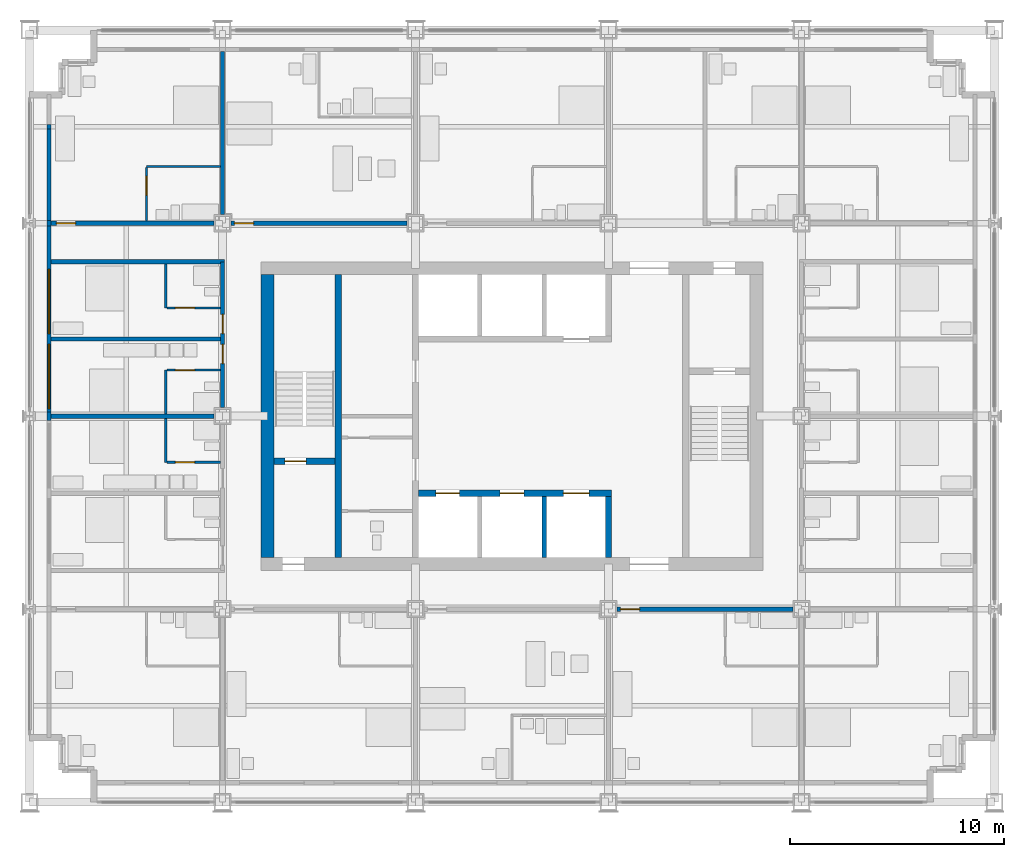
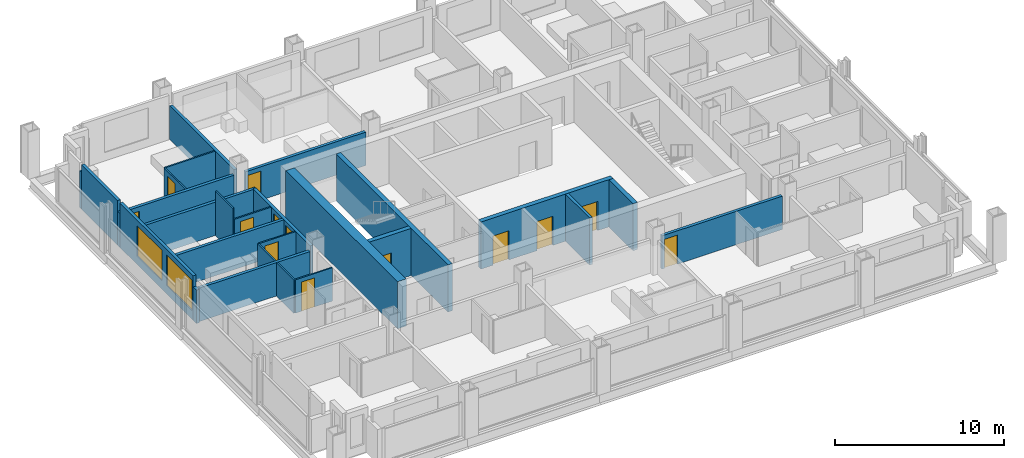
# One storey, part 10 of 16: 27 walls, 13 doors, 2 windows, 15 openings.
"""IFC4 building model written with IfcOpenShell, lengths in metres."""

from ifc_helpers import new_model, si_unit, direction, frame, frame_2d, origin, place, context, subcontext, project, spatial, rectangle, extrude, material, layer, layer_set, type_object, element, fill, save


model = new_model("IFC4")

# Units and contexts
model_context = context("Model", 3, precision=1e-05, world=origin(), true_north=direction((0.0, 1.0)))
body_context = subcontext(model_context, "Body", "Model", "MODEL_VIEW")
ifc_project = project(units=[si_unit("LENGTHUNIT", "METRE"), si_unit("AREAUNIT", "SQUARE_METRE"), si_unit("VOLUMEUNIT", "CUBIC_METRE"), si_unit("PLANEANGLEUNIT", "RADIAN"), si_unit("MASSUNIT", "GRAM", prefix="KILO")], contexts=[model_context])

# Site, building, storey
site_placement = place(None, origin())
site = spatial("IfcSite", under=ifc_project, at=site_placement, CompositionType="ELEMENT")
building_placement = place(site_placement, origin())
building = spatial("IfcBuilding", under=site, at=building_placement, Name="Loomwork Tower", CompositionType="ELEMENT")
storey_placement = place(building_placement, frame((0.0, 0.0, 111.199951171875)))
storey = spatial("IfcBuildingStorey", under=building, at=storey_placement, Name="L29", CompositionType="ELEMENT", Elevation=111.199951171875)

# Wall
ifc_material_1 = material(Name="Concrete 14000 psi (97 MPa)", Category="concrete")
ifc_layer_1 = layer(ifc_material_1, 0.300048828125)
ifc_layer_set_1 = layer_set([ifc_layer_1], Name="Core shear wall 300")
wall_type_1 = type_object("IfcWallType", Name="Core shear wall 300", PredefinedType="SHEAR", material=ifc_layer_set_1)
wall_1_placement = place(storey_placement, frame((14.39990234375, 11.39990234375, 0.0), z_axis=(0.0, 0.0, 1.0), x_axis=(0.0, 1.0, 0.0)))
element("IfcWall", 1, at=wall_1_placement, inside=storey, type_object=wall_type_1, Name="Stair A east wall L29", PredefinedType="SHEAR", context=body_context, shape_type="SweptSolid", body=[
    extrude(rectangle(XDim=13.2001953125, YDim=0.300048828125, at=frame_2d((6.60009765625, 0.0))), origin(), (0.0, 0.0, 1.0), 3.400146484375),
])

# Wall, opening, door
wall_2_placement = place(storey_placement, frame((11.39990234375, 15.89990234375, 0.0), z_axis=(0.0, 0.0, 1.0), x_axis=(1.0, 0.0, 0.0)))
wall_2 = element("IfcWall", 2, at=wall_2_placement, inside=storey, type_object=wall_type_1, Name="Stair A south wall L29", PredefinedType="SHEAR", context=body_context, shape_type="SweptSolid", body=[
    extrude(rectangle(XDim=2.85009765625, YDim=0.300048828125, at=frame_2d((1.425048828125, 0.0))), origin(), (0.0, 0.0, 1.0), 3.400146484375),
])
opening_1_placement = place(wall_2_placement, frame((0.5, 0.0, 0.0)))
opening_1 = element("IfcOpeningElement", 3, at=opening_1_placement, cuts=wall_2, Name="Opening D4", PredefinedType="OPENING", context=body_context, shape_type="SweptSolid", body=[
    extrude(rectangle(XDim=1.0, YDim=2.10009765625, at=frame_2d((0.5, 1.050048828125))), frame((0.0, 0.159912109375, 0.0), z_axis=(0.0, -1.0, 0.0), x_axis=(1.0, 0.0, 0.0)), (0.0, 0.0, 1.0), 0.320068359375),
])
ifc_material_2 = material(Name="Hollow metal door and frame")
door_type_1 = type_object("IfcDoorType", Name="Stair door 1000", OperationType="SINGLE_SWING_RIGHT", PredefinedType="DOOR", material=ifc_material_2)
door_1_placement = place(opening_1_placement, origin())
door_1 = element("IfcDoor", 4, at=door_1_placement, inside=storey, type_object=door_type_1, Name="Stair A door", OperationType="SINGLE_SWING_LEFT", OverallHeight=2.10009765625, OverallWidth=1.0, PredefinedType="DOOR", context=body_context, shape_type="SweptSolid", body=[
    extrude(rectangle(XDim=1.0, YDim=2.10009765625, at=frame_2d((0.5, 1.050048828125))), frame((0.0, 0.02490234375, 0.0), z_axis=(0.0, -1.0, 0.0), x_axis=(1.0, 0.0, 0.0)), (0.0, 0.0, 1.0), 0.050048828125),
])
fill(opening_1, door_1)

# Wall, openings, doors
wall_3_placement = place(storey_placement, frame((18.14990234375, 14.39990234375, 0.0), z_axis=(0.0, 0.0, 1.0), x_axis=(1.0, 0.0, 0.0)))
wall_3 = element("IfcWall", 5, at=wall_3_placement, inside=storey, type_object=wall_type_1, Name="Lift front wall south L29", PredefinedType="SHEAR", context=body_context, shape_type="SweptSolid", body=[
    extrude(rectangle(XDim=9.0, YDim=0.300048828125, at=frame_2d((4.5, 0.0))), origin(), (0.0, 0.0, 1.0), 3.400146484375),
])
opening_2_placement = place(wall_3_placement, frame((0.800048828125, 0.0, 0.0)))
opening_2 = element("IfcOpeningElement", 6, at=opening_2_placement, cuts=wall_3, Name="Opening LD1", PredefinedType="OPENING", context=body_context, shape_type="SweptSolid", body=[
    extrude(rectangle(XDim=1.10009765625, YDim=2.10009765625, at=frame_2d((0.550048828125, 1.050048828125))), frame((0.0, 0.159912109375, 0.0), z_axis=(0.0, -1.0, 0.0), x_axis=(1.0, 0.0, 0.0)), (0.0, 0.0, 1.0), 0.320068359375),
])
opening_3_placement = place(wall_3_placement, frame((3.800048828125, 0.0, 0.0)))
opening_3 = element("IfcOpeningElement", 7, at=opening_3_placement, cuts=wall_3, Name="Opening LD1", PredefinedType="OPENING", context=body_context, shape_type="SweptSolid", body=[
    extrude(rectangle(XDim=1.10009765625, YDim=2.10009765625, at=frame_2d((0.550048828125, 1.050048828125))), frame((0.0, 0.159912109375, 0.0), z_axis=(0.0, -1.0, 0.0), x_axis=(1.0, 0.0, 0.0)), (0.0, 0.0, 1.0), 0.320068359375),
])
opening_4_placement = place(wall_3_placement, frame((6.75, 0.0, 0.0)))
opening_4 = element("IfcOpeningElement", 8, at=opening_4_placement, cuts=wall_3, Name="Opening LD2", PredefinedType="OPENING", context=body_context, shape_type="SweptSolid", body=[
    extrude(rectangle(XDim=1.199951171875, YDim=2.10009765625, at=frame_2d((0.60009765625, 1.050048828125))), frame((0.0, 0.159912109375, 0.0), z_axis=(0.0, -1.0, 0.0), x_axis=(1.0, 0.0, 0.0)), (0.0, 0.0, 1.0), 0.320068359375),
])
ifc_material_3 = material(Name="Hollow metal door and frame")
door_type_2 = type_object("IfcDoorType", Name="Lift landing door 1100", OperationType="SLIDING_TO_LEFT", PredefinedType="DOOR", material=ifc_material_3)
door_2_placement = place(opening_2_placement, origin())
door_2 = element("IfcDoor", 9, at=door_2_placement, inside=storey, type_object=door_type_2, Name="Lift landing door LB1", OperationType="SLIDING_TO_LEFT", OverallHeight=2.10009765625, OverallWidth=1.10009765625, PredefinedType="DOOR", context=body_context, shape_type="SweptSolid", body=[
    extrude(rectangle(XDim=1.10009765625, YDim=2.10009765625, at=frame_2d((0.550048828125, 1.050048828125))), frame((0.0, 0.02490234375, 0.0), z_axis=(0.0, -1.0, 0.0), x_axis=(1.0, 0.0, 0.0)), (0.0, 0.0, 1.0), 0.050048828125),
])
fill(opening_2, door_2)
door_3_placement = place(opening_3_placement, origin())
door_3 = element("IfcDoor", 10, at=door_3_placement, inside=storey, type_object=door_type_2, Name="Lift landing door LB2", OperationType="SLIDING_TO_LEFT", OverallHeight=2.10009765625, OverallWidth=1.10009765625, PredefinedType="DOOR", context=body_context, shape_type="SweptSolid", body=[
    extrude(rectangle(XDim=1.10009765625, YDim=2.10009765625, at=frame_2d((0.550048828125, 1.050048828125))), frame((0.0, 0.02490234375, 0.0), z_axis=(0.0, -1.0, 0.0), x_axis=(1.0, 0.0, 0.0)), (0.0, 0.0, 1.0), 0.050048828125),
])
fill(opening_3, door_3)
ifc_material_4 = material(Name="Hollow metal door and frame")
door_type_3 = type_object("IfcDoorType", Name="Lift landing door 1200", OperationType="SLIDING_TO_LEFT", PredefinedType="DOOR", material=ifc_material_4)
door_4_placement = place(opening_4_placement, origin())
door_4 = element("IfcDoor", 11, at=door_4_placement, inside=storey, type_object=door_type_3, Name="Lift landing door LF1", OperationType="SLIDING_TO_LEFT", OverallHeight=2.10009765625, OverallWidth=1.199951171875, PredefinedType="DOOR", context=body_context, shape_type="SweptSolid", body=[
    extrude(rectangle(XDim=1.199951171875, YDim=2.10009765625, at=frame_2d((0.60009765625, 1.050048828125))), frame((0.0, 0.02490234375, 0.0), z_axis=(0.0, -1.0, 0.0), x_axis=(1.0, 0.0, 0.0)), (0.0, 0.0, 1.0), 0.050048828125),
])
fill(opening_4, door_4)

# Walls
wall_4_placement = place(storey_placement, frame((27.0, 11.39990234375, 0.0), z_axis=(0.0, 0.0, 1.0), x_axis=(0.0, 1.0, 0.0)))
element("IfcWall", 12, at=wall_4_placement, inside=storey, type_object=wall_type_1, Name="Lift shaft end wall south L29", PredefinedType="SHEAR", context=body_context, shape_type="SweptSolid", body=[
    extrude(rectangle(XDim=2.85009765625, YDim=0.300048828125, at=frame_2d((1.425048828125, 0.0))), origin(), (0.0, 0.0, 1.0), 3.400146484375),
])
ifc_material_5 = material(Name="Concrete 14000 psi (97 MPa)", Category="concrete")
ifc_layer_2 = layer(ifc_material_5, 0.60009765625)
ifc_layer_set_2 = layer_set([ifc_layer_2], Name="Core shear wall 600")
wall_type_2 = type_object("IfcWallType", Name="Core shear wall 600", PredefinedType="SHEAR", material=ifc_layer_set_2)
wall_5_placement = place(storey_placement, frame((11.10009765625, 11.39990234375, 0.0), z_axis=(0.0, 0.0, 1.0), x_axis=(0.0, 1.0, 0.0)))
element("IfcWall", 13, at=wall_5_placement, inside=storey, type_object=wall_type_2, Name="Core wall west L29", PredefinedType="SHEAR", context=body_context, shape_type="SweptSolid", body=[
    extrude(rectangle(XDim=13.2001953125, YDim=0.60009765625, at=frame_2d((6.60009765625, 0.0))), origin(), (0.0, 0.0, 1.0), 3.400146484375),
])

# Wall, opening, door
ifc_material_6 = material(Name="Gypsum board on steel studs, one-hour", Category="steel")
ifc_layer_3 = layer(ifc_material_6, 0.199951171875)
ifc_layer_set_3 = layer_set([ifc_layer_3], Name="Corridor wall 200")
wall_type_3 = type_object("IfcWallType", Name="Corridor wall 200", PredefinedType="PARTITIONING", material=ifc_layer_set_3)
wall_6_placement = place(storey_placement, frame((27.39990234375, 9.0, 0.0), z_axis=(0.0, 0.0, 1.0), x_axis=(1.0, 0.0, 0.0)))
wall_6 = element("IfcWall", 14, at=wall_6_placement, inside=storey, type_object=wall_type_3, Name="South corridor wall 4", PredefinedType="PARTITIONING", context=body_context, shape_type="SweptSolid", body=[
    extrude(rectangle(XDim=8.2001953125, YDim=0.199951171875, at=frame_2d((4.10009765625, 0.0))), origin(), (0.0, 0.0, 1.0), 2.405029296875),
])
opening_5_placement = place(wall_6_placement, frame((0.14990234375, 0.0, 0.0)))
opening_5 = element("IfcOpeningElement", 15, at=opening_5_placement, cuts=wall_6, Name="Opening D1", PredefinedType="OPENING", context=body_context, shape_type="SweptSolid", body=[
    extrude(rectangle(XDim=0.89990234375, YDim=2.10009765625, at=frame_2d((0.449951171875, 1.050048828125))), frame((0.0, 0.10986328125, 0.0), z_axis=(0.0, -1.0, 0.0), x_axis=(1.0, 0.0, 0.0)), (0.0, 0.0, 1.0), 0.219970703125),
])
ifc_material_7 = material(Name="Hollow metal door and frame")
door_type_4 = type_object("IfcDoorType", Name="Guest room entry door 900", OperationType="SINGLE_SWING_LEFT", PredefinedType="DOOR", material=ifc_material_7)
door_5_placement = place(opening_5_placement, frame((0.89990234375, 0.0, 0.0), z_axis=(0.0, 0.0, 1.0), x_axis=(-1.0, 0.0, 0.0)))
door_5 = element("IfcDoor", 16, at=door_5_placement, inside=storey, type_object=door_type_4, Name="Guest room entry door L29 4", OperationType="SINGLE_SWING_RIGHT", OverallHeight=2.10009765625, OverallWidth=0.89990234375, PredefinedType="DOOR", context=body_context, shape_type="SweptSolid", body=[
    extrude(rectangle(XDim=0.89990234375, YDim=2.10009765625, at=frame_2d((0.449951171875, 1.050048828125))), frame((0.0, 0.02490234375, 0.0), z_axis=(0.0, -1.0, 0.0), x_axis=(1.0, 0.0, 0.0)), (0.0, 0.0, 1.0), 0.050048828125),
])
fill(opening_5, door_5)

wall_7_placement = place(storey_placement, frame((1.0, 27.0, 0.0), z_axis=(0.0, 0.0, 1.0), x_axis=(1.0, 0.0, 0.0)))
wall_7 = element("IfcWall", 17, at=wall_7_placement, inside=storey, type_object=wall_type_3, Name="North corridor wall 1", PredefinedType="PARTITIONING", context=body_context, shape_type="SweptSolid", body=[
    extrude(rectangle(XDim=7.60009765625, YDim=0.199951171875, at=frame_2d((3.800048828125, 0.0))), origin(), (0.0, 0.0, 1.0), 2.43798828125),
])
opening_6_placement = place(wall_7_placement, frame((0.25, 0.0, 0.0)))
opening_6 = element("IfcOpeningElement", 18, at=opening_6_placement, cuts=wall_7, Name="Opening D1", PredefinedType="OPENING", context=body_context, shape_type="SweptSolid", body=[
    extrude(rectangle(XDim=0.89990234375, YDim=2.10009765625, at=frame_2d((0.449951171875, 1.050048828125))), frame((0.0, 0.10986328125, 0.0), z_axis=(0.0, -1.0, 0.0), x_axis=(1.0, 0.0, 0.0)), (0.0, 0.0, 1.0), 0.219970703125),
])
door_6_placement = place(opening_6_placement, origin())
door_6 = element("IfcDoor", 19, at=door_6_placement, inside=storey, type_object=door_type_4, Name="Guest room entry door L29 6", OperationType="SINGLE_SWING_LEFT", OverallHeight=2.10009765625, OverallWidth=0.89990234375, PredefinedType="DOOR", context=body_context, shape_type="SweptSolid", body=[
    extrude(rectangle(XDim=0.89990234375, YDim=2.10009765625, at=frame_2d((0.449951171875, 1.050048828125))), frame((0.0, 0.02490234375, 0.0), z_axis=(0.0, -1.0, 0.0), x_axis=(1.0, 0.0, 0.0)), (0.0, 0.0, 1.0), 0.050048828125),
])
fill(opening_6, door_6)

wall_8_placement = place(storey_placement, frame((9.39990234375, 27.0, 0.0), z_axis=(0.0, 0.0, 1.0), x_axis=(1.0, 0.0, 0.0)))
wall_8 = element("IfcWall", 20, at=wall_8_placement, inside=storey, type_object=wall_type_3, Name="North corridor wall 2", PredefinedType="PARTITIONING", context=body_context, shape_type="SweptSolid", body=[
    extrude(rectangle(XDim=8.2001953125, YDim=0.199951171875, at=frame_2d((4.10009765625, 0.0))), origin(), (0.0, 0.0, 1.0), 2.405029296875),
])
opening_7_placement = place(wall_8_placement, frame((0.14990234375, 0.0, 0.0)))
opening_7 = element("IfcOpeningElement", 21, at=opening_7_placement, cuts=wall_8, Name="Opening D1", PredefinedType="OPENING", context=body_context, shape_type="SweptSolid", body=[
    extrude(rectangle(XDim=0.89990234375, YDim=2.10009765625, at=frame_2d((0.449951171875, 1.050048828125))), frame((0.0, 0.10986328125, 0.0), z_axis=(0.0, -1.0, 0.0), x_axis=(1.0, 0.0, 0.0)), (0.0, 0.0, 1.0), 0.219970703125),
])
door_7_placement = place(opening_7_placement, origin())
door_7 = element("IfcDoor", 22, at=door_7_placement, inside=storey, type_object=door_type_4, Name="Guest room entry door L29 7", OperationType="SINGLE_SWING_LEFT", OverallHeight=2.10009765625, OverallWidth=0.89990234375, PredefinedType="DOOR", context=body_context, shape_type="SweptSolid", body=[
    extrude(rectangle(XDim=0.89990234375, YDim=2.10009765625, at=frame_2d((0.449951171875, 1.050048828125))), frame((0.0, 0.02490234375, 0.0), z_axis=(0.0, -1.0, 0.0), x_axis=(1.0, 0.0, 0.0)), (0.0, 0.0, 1.0), 0.050048828125),
])
fill(opening_7, door_7)

# Wall, openings, doors
wall_9_placement = place(storey_placement, frame((9.0, 18.39990234375, 0.0), z_axis=(0.0, 0.0, 1.0), x_axis=(0.0, 1.0, 0.0)))
wall_9 = element("IfcWall", 23, at=wall_9_placement, inside=storey, type_object=wall_type_3, Name="West corridor wall 2", PredefinedType="PARTITIONING", context=body_context, shape_type="SweptSolid", body=[
    extrude(rectangle(XDim=6.800048828125, YDim=0.199951171875, at=frame_2d((3.39990234375, 0.0))), origin(), (0.0, 0.0, 1.0), 2.405029296875),
])
opening_8_placement = place(wall_9_placement, frame((2.050048828125, 0.0, 0.0)))
opening_8 = element("IfcOpeningElement", 24, at=opening_8_placement, cuts=wall_9, Name="Opening D1", PredefinedType="OPENING", context=body_context, shape_type="SweptSolid", body=[
    extrude(rectangle(XDim=0.89990234375, YDim=2.10009765625, at=frame_2d((0.449951171875, 1.050048828125))), frame((0.0, 0.10986328125, 0.0), z_axis=(0.0, -1.0, 0.0), x_axis=(1.0, 0.0, 0.0)), (0.0, 0.0, 1.0), 0.219970703125),
])
opening_9_placement = place(wall_9_placement, frame((3.449951171875, 0.0, 0.0)))
opening_9 = element("IfcOpeningElement", 25, at=opening_9_placement, cuts=wall_9, Name="Opening D1", PredefinedType="OPENING", context=body_context, shape_type="SweptSolid", body=[
    extrude(rectangle(XDim=0.89990234375, YDim=2.10009765625, at=frame_2d((0.449951171875, 1.050048828125))), frame((0.0, 0.10986328125, 0.0), z_axis=(0.0, -1.0, 0.0), x_axis=(1.0, 0.0, 0.0)), (0.0, 0.0, 1.0), 0.219970703125),
])
door_8_placement = place(opening_8_placement, origin())
door_8 = element("IfcDoor", 26, at=door_8_placement, inside=storey, type_object=door_type_4, Name="Guest room entry door L29 13", OperationType="SINGLE_SWING_RIGHT", OverallHeight=2.10009765625, OverallWidth=0.89990234375, PredefinedType="DOOR", context=body_context, shape_type="SweptSolid", body=[
    extrude(rectangle(XDim=0.89990234375, YDim=2.10009765625, at=frame_2d((0.449951171875, 1.050048828125))), frame((0.0, 0.02490234375, 0.0), z_axis=(0.0, -1.0, 0.0), x_axis=(1.0, 0.0, 0.0)), (0.0, 0.0, 1.0), 0.050048828125),
])
fill(opening_8, door_8)
door_9_placement = place(opening_9_placement, origin())
door_9 = element("IfcDoor", 27, at=door_9_placement, inside=storey, type_object=door_type_4, Name="Guest room entry door L29 14", OperationType="SINGLE_SWING_LEFT", OverallHeight=2.10009765625, OverallWidth=0.89990234375, PredefinedType="DOOR", context=body_context, shape_type="SweptSolid", body=[
    extrude(rectangle(XDim=0.89990234375, YDim=2.10009765625, at=frame_2d((0.449951171875, 1.050048828125))), frame((0.0, 0.02490234375, 0.0), z_axis=(0.0, -1.0, 0.0), x_axis=(1.0, 0.0, 0.0)), (0.0, 0.0, 1.0), 0.050048828125),
])
fill(opening_9, door_9)

# Walls
wall_10_placement = place(storey_placement, frame((1.0, 25.199951171875, 0.0), z_axis=(0.0, 0.0, 1.0), x_axis=(1.0, 0.0, 0.0)))
element("IfcWall", 28, at=wall_10_placement, inside=storey, type_object=wall_type_3, Name="West band end wall N", PredefinedType="PARTITIONING", context=body_context, shape_type="SweptSolid", body=[
    extrude(rectangle(XDim=8.10009765625, YDim=0.199951171875, at=frame_2d((4.050048828125, 0.0))), origin(), (0.0, 0.0, 1.0), 2.404052734375),
])
ifc_material_8 = material(Name="Cement board on steel studs", Category="steel")
ifc_layer_4 = layer(ifc_material_8, 0.10009765625)
ifc_layer_set_4 = layer_set([ifc_layer_4], Name="En-suite partition 100")
wall_type_4 = type_object("IfcWallType", Name="En-suite partition 100", PredefinedType="PARTITIONING", material=ifc_layer_set_4)
wall_11_placement = place(storey_placement, frame((5.449951171875, 29.64990234375, 0.0), z_axis=(0.0, 0.0, 1.0), x_axis=(1.0, 0.0, 0.0)))
element("IfcWall", 29, at=wall_11_placement, inside=storey, type_object=wall_type_4, Name="En-suite wall L29 room 6", PredefinedType="PARTITIONING", context=body_context, shape_type="SweptSolid", body=[
    extrude(rectangle(XDim=3.449951171875, YDim=0.10009765625, at=frame_2d((1.72509765625, 0.0))), origin(), (0.0, 0.0, 1.0), 2.43798828125),
])

# Wall, opening, door
wall_12_placement = place(storey_placement, frame((5.449951171875, 27.10009765625, 0.0), z_axis=(0.0, 0.0, 1.0), x_axis=(0.0, 1.0, 0.0)))
wall_12 = element("IfcWall", 30, at=wall_12_placement, inside=storey, type_object=wall_type_4, Name="En-suite side wall L29 room 6", PredefinedType="PARTITIONING", context=body_context, shape_type="SweptSolid", body=[
    extrude(rectangle(XDim=2.5, YDim=0.10009765625, at=frame_2d((1.25, 0.0))), origin(), (0.0, 0.0, 1.0), 2.43798828125),
])
opening_10_placement = place(wall_12_placement, frame((1.199951171875, 0.0, 0.0)))
opening_10 = element("IfcOpeningElement", 31, at=opening_10_placement, cuts=wall_12, Name="Opening D2", PredefinedType="OPENING", context=body_context, shape_type="SweptSolid", body=[
    extrude(rectangle(XDim=0.89990234375, YDim=2.10009765625, at=frame_2d((0.449951171875, 1.050048828125))), frame((0.0, 0.06005859375, 0.0), z_axis=(0.0, -1.0, 0.0), x_axis=(1.0, 0.0, 0.0)), (0.0, 0.0, 1.0), 0.1201171875),
])
ifc_material_9 = material(Name="Hollow metal door and frame")
door_type_5 = type_object("IfcDoorType", Name="En-suite door 900", OperationType="SINGLE_SWING_LEFT", PredefinedType="DOOR", material=ifc_material_9)
door_10_placement = place(opening_10_placement, frame((0.89990234375, 0.0, 0.0), z_axis=(0.0, 0.0, 1.0), x_axis=(-1.0, 0.0, 0.0)))
door_10 = element("IfcDoor", 32, at=door_10_placement, inside=storey, type_object=door_type_5, Name="En-suite door room 6", OperationType="SINGLE_SWING_LEFT", OverallHeight=2.10009765625, OverallWidth=0.89990234375, PredefinedType="DOOR", context=body_context, shape_type="SweptSolid", body=[
    extrude(rectangle(XDim=0.89990234375, YDim=2.10009765625, at=frame_2d((0.449951171875, 1.050048828125))), frame((0.0, 0.02490234375, 0.0), z_axis=(0.0, -1.0, 0.0), x_axis=(1.0, 0.0, 0.0)), (0.0, 0.0, 1.0), 0.050048828125),
])
fill(opening_10, door_10)

# Wall
wall_13_placement = place(storey_placement, frame((6.35009765625, 15.85009765625, 0.0), z_axis=(0.0, 0.0, 1.0), x_axis=(0.0, 1.0, 0.0)))
element("IfcWall", 33, at=wall_13_placement, inside=storey, type_object=wall_type_4, Name="En-suite wall L29 room 12", PredefinedType="PARTITIONING", context=body_context, shape_type="SweptSolid", body=[
    extrude(rectangle(XDim=2.0498046875, YDim=0.10009765625, at=frame_2d((1.02490234375, 0.0))), origin(), (0.0, 0.0, 1.0), 2.404052734375),
])

# Wall, opening, door
wall_14_placement = place(storey_placement, frame((8.89990234375, 15.85009765625, 0.0), z_axis=(0.0, 0.0, 1.0), x_axis=(-1.0, 0.0, 0.0)))
wall_14 = element("IfcWall", 34, at=wall_14_placement, inside=storey, type_object=wall_type_4, Name="En-suite side wall L29 room 12", PredefinedType="PARTITIONING", context=body_context, shape_type="SweptSolid", body=[
    extrude(rectangle(XDim=2.5, YDim=0.10009765625, at=frame_2d((1.25, 0.0))), origin(), (0.0, 0.0, 1.0), 2.404052734375),
])
opening_11_placement = place(wall_14_placement, frame((1.199951171875, 0.0, 0.0)))
opening_11 = element("IfcOpeningElement", 35, at=opening_11_placement, cuts=wall_14, Name="Opening D2", PredefinedType="OPENING", context=body_context, shape_type="SweptSolid", body=[
    extrude(rectangle(XDim=0.89990234375, YDim=2.10009765625, at=frame_2d((0.449951171875, 1.050048828125))), frame((0.0, 0.06005859375, 0.0), z_axis=(0.0, -1.0, 0.0), x_axis=(1.0, 0.0, 0.0)), (0.0, 0.0, 1.0), 0.1201171875),
])
door_11_placement = place(opening_11_placement, frame((0.89990234375, 0.0, 0.0), z_axis=(0.0, 0.0, 1.0), x_axis=(-1.0, 0.0, 0.0)))
door_11 = element("IfcDoor", 36, at=door_11_placement, inside=storey, type_object=door_type_5, Name="En-suite door room 12", OperationType="SINGLE_SWING_LEFT", OverallHeight=2.10009765625, OverallWidth=0.89990234375, PredefinedType="DOOR", context=body_context, shape_type="SweptSolid", body=[
    extrude(rectangle(XDim=0.89990234375, YDim=2.10009765625, at=frame_2d((0.449951171875, 1.050048828125))), frame((0.0, 0.02490234375, 0.0), z_axis=(0.0, -1.0, 0.0), x_axis=(1.0, 0.0, 0.0)), (0.0, 0.0, 1.0), 0.050048828125),
])
fill(opening_11, door_11)

# Wall
wall_15_placement = place(storey_placement, frame((6.35009765625, 18.10009765625, 0.0), z_axis=(0.0, 0.0, 1.0), x_axis=(0.0, 1.0, 0.0)))
element("IfcWall", 37, at=wall_15_placement, inside=storey, type_object=wall_type_4, Name="En-suite wall L29 room 13", PredefinedType="PARTITIONING", context=body_context, shape_type="SweptSolid", body=[
    extrude(rectangle(XDim=2.0498046875, YDim=0.10009765625, at=frame_2d((1.02490234375, 0.0))), origin(), (0.0, 0.0, 1.0), 2.404052734375),
])

# Wall, opening, door
wall_16_placement = place(storey_placement, frame((8.89990234375, 20.14990234375, 0.0), z_axis=(0.0, 0.0, 1.0), x_axis=(-1.0, 0.0, 0.0)))
wall_16 = element("IfcWall", 38, at=wall_16_placement, inside=storey, type_object=wall_type_4, Name="En-suite side wall L29 room 13", PredefinedType="PARTITIONING", context=body_context, shape_type="SweptSolid", body=[
    extrude(rectangle(XDim=2.5, YDim=0.10009765625, at=frame_2d((1.25, 0.0))), origin(), (0.0, 0.0, 1.0), 2.404052734375),
])
opening_12_placement = place(wall_16_placement, frame((1.199951171875, 0.0, 0.0)))
opening_12 = element("IfcOpeningElement", 39, at=opening_12_placement, cuts=wall_16, Name="Opening D2", PredefinedType="OPENING", context=body_context, shape_type="SweptSolid", body=[
    extrude(rectangle(XDim=0.89990234375, YDim=2.10009765625, at=frame_2d((0.449951171875, 1.050048828125))), frame((0.0, 0.06005859375, 0.0), z_axis=(0.0, -1.0, 0.0), x_axis=(1.0, 0.0, 0.0)), (0.0, 0.0, 1.0), 0.1201171875),
])
door_12_placement = place(opening_12_placement, origin())
door_12 = element("IfcDoor", 40, at=door_12_placement, inside=storey, type_object=door_type_5, Name="En-suite door room 13", OperationType="SINGLE_SWING_RIGHT", OverallHeight=2.10009765625, OverallWidth=0.89990234375, PredefinedType="DOOR", context=body_context, shape_type="SweptSolid", body=[
    extrude(rectangle(XDim=0.89990234375, YDim=2.10009765625, at=frame_2d((0.449951171875, 1.050048828125))), frame((0.0, 0.02490234375, 0.0), z_axis=(0.0, -1.0, 0.0), x_axis=(1.0, 0.0, 0.0)), (0.0, 0.0, 1.0), 0.050048828125),
])
fill(opening_12, door_12)

# Wall
wall_17_placement = place(storey_placement, frame((6.35009765625, 23.050048828125, 0.0), z_axis=(0.0, 0.0, 1.0), x_axis=(0.0, 1.0, 0.0)))
element("IfcWall", 41, at=wall_17_placement, inside=storey, type_object=wall_type_4, Name="En-suite wall L29 room 14", PredefinedType="PARTITIONING", context=body_context, shape_type="SweptSolid", body=[
    extrude(rectangle(XDim=2.050048828125, YDim=0.10009765625, at=frame_2d((1.02490234375, 0.0))), origin(), (0.0, 0.0, 1.0), 3.199951171875),
])

# Wall, opening, door
wall_18_placement = place(storey_placement, frame((8.89990234375, 23.050048828125, 0.0), z_axis=(0.0, 0.0, 1.0), x_axis=(-1.0, 0.0, 0.0)))
wall_18 = element("IfcWall", 42, at=wall_18_placement, inside=storey, type_object=wall_type_4, Name="En-suite side wall L29 room 14", PredefinedType="PARTITIONING", context=body_context, shape_type="SweptSolid", body=[
    extrude(rectangle(XDim=2.5, YDim=0.10009765625, at=frame_2d((1.25, 0.0))), origin(), (0.0, 0.0, 1.0), 2.404052734375),
])
opening_13_placement = place(wall_18_placement, frame((1.199951171875, 0.0, 0.0)))
opening_13 = element("IfcOpeningElement", 43, at=opening_13_placement, cuts=wall_18, Name="Opening D2", PredefinedType="OPENING", context=body_context, shape_type="SweptSolid", body=[
    extrude(rectangle(XDim=0.89990234375, YDim=2.10009765625, at=frame_2d((0.449951171875, 1.050048828125))), frame((0.0, 0.06005859375, 0.0), z_axis=(0.0, -1.0, 0.0), x_axis=(1.0, 0.0, 0.0)), (0.0, 0.0, 1.0), 0.1201171875),
])
door_13_placement = place(opening_13_placement, frame((0.89990234375, 0.0, 0.0), z_axis=(0.0, 0.0, 1.0), x_axis=(-1.0, 0.0, 0.0)))
door_13 = element("IfcDoor", 44, at=door_13_placement, inside=storey, type_object=door_type_5, Name="En-suite door room 14", OperationType="SINGLE_SWING_LEFT", OverallHeight=2.10009765625, OverallWidth=0.89990234375, PredefinedType="DOOR", context=body_context, shape_type="SweptSolid", body=[
    extrude(rectangle(XDim=0.89990234375, YDim=2.10009765625, at=frame_2d((0.449951171875, 1.050048828125))), frame((0.0, 0.02490234375, 0.0), z_axis=(0.0, -1.0, 0.0), x_axis=(1.0, 0.0, 0.0)), (0.0, 0.0, 1.0), 0.050048828125),
])
fill(opening_13, door_13)

# Walls
ifc_material_10 = material(Name="Gypsum board on steel studs, acoustic", Category="steel")
ifc_layer_5 = layer(ifc_material_10, 0.199951171875)
ifc_layer_set_5 = layer_set([ifc_layer_5], Name="Guest room party wall 200")
wall_type_5 = type_object("IfcWallType", Name="Guest room party wall 200", PredefinedType="PARTITIONING", material=ifc_layer_set_5)
wall_19_placement = place(storey_placement, frame((9.0, 27.39990234375, 0.0), z_axis=(0.0, 0.0, 1.0), x_axis=(0.0, 1.0, 0.0)))
element("IfcWall", 45, at=wall_19_placement, inside=storey, type_object=wall_type_5, Name="Guest room party wall N 9", PredefinedType="PARTITIONING", context=body_context, shape_type="SweptSolid", body=[
    extrude(rectangle(XDim=7.60009765625, YDim=0.199951171875, at=frame_2d((3.800048828125, 0.0))), origin(), (0.0, 0.0, 1.0), 2.43798828125),
])
wall_20_placement = place(storey_placement, frame((8.60009765625, 18.0, 0.0), z_axis=(0.0, 0.0, 1.0), x_axis=(-1.0, 0.0, 0.0)))
element("IfcWall", 46, at=wall_20_placement, inside=storey, type_object=wall_type_5, Name="Guest room party wall W 18", PredefinedType="PARTITIONING", context=body_context, shape_type="SweptSolid", body=[
    extrude(rectangle(XDim=7.60009765625, YDim=0.199951171875, at=frame_2d((3.800048828125, 0.0))), origin(), (0.0, 0.0, 1.0), 2.405029296875),
])
wall_21_placement = place(storey_placement, frame((8.89990234375, 21.60009765625, 0.0), z_axis=(0.0, 0.0, 1.0), x_axis=(-1.0, 0.0, 0.0)))
element("IfcWall", 47, at=wall_21_placement, inside=storey, type_object=wall_type_5, Name="Guest room party wall W 21.6", PredefinedType="PARTITIONING", context=body_context, shape_type="SweptSolid", body=[
    extrude(rectangle(XDim=7.89990234375, YDim=0.199951171875, at=frame_2d((3.949951171875, 0.0))), origin(), (0.0, 0.0, 1.0), 2.404052734375),
])
ifc_material_11 = material(Name="Insulated steel stud wall with gypsum lining", Category="steel")
ifc_layer_6 = layer(ifc_material_11, 0.199951171875)
ifc_layer_set_6 = layer_set([ifc_layer_6], Name="Inner skin wall 200")
wall_type_6 = type_object("IfcWallType", Name="Inner skin wall 200", PredefinedType="SOLIDWALL", material=ifc_layer_set_6)
wall_22_placement = place(storey_placement, frame((0.89990234375, 17.80615234375, 0.0), z_axis=(0.0, 0.0, 1.0), x_axis=(0.0, 1.0, 0.0)))
element("IfcWall", 48, at=wall_22_placement, inside=storey, type_object=wall_type_6, Name="Inner skin wall W bay 6", PredefinedType="SOLIDWALL", context=body_context, shape_type="SweptSolid", body=[
    extrude(rectangle(XDim=0.3876953125, YDim=0.199951171875, at=frame_2d((0.19384765625, 0.0))), origin(), (0.0, 0.0, 1.0), 2.404052734375),
])

# Wall, openings, windows
wall_23_placement = place(storey_placement, frame((0.89990234375, 18.19384765625, 0.0), z_axis=(0.0, 0.0, 1.0), x_axis=(0.0, 1.0, 0.0)))
wall_23 = element("IfcWall", 49, at=wall_23_placement, inside=storey, type_object=wall_type_6, Name="Inner skin wall W bay 7", PredefinedType="SOLIDWALL", context=body_context, shape_type="SweptSolid", body=[
    extrude(rectangle(XDim=8.6708984375, YDim=0.199951171875, at=frame_2d((4.33544921875, 0.0))), origin(), (0.0, 0.0, 1.0), 3.199951171875),
])
opening_14_placement = place(wall_23_placement, frame((0.15625, 0.0, 0.60009765625)))
opening_14 = element("IfcOpeningElement", 50, at=opening_14_placement, cuts=wall_23, Name="Opening CH1", PredefinedType="OPENING", context=body_context, shape_type="SweptSolid", body=[
    extrude(rectangle(XDim=3.0, YDim=2.199951171875, at=frame_2d((1.5, 1.10009765625))), frame((0.0, 0.10986328125, 0.0), z_axis=(0.0, -1.0, 0.0), x_axis=(1.0, 0.0, 0.0)), (0.0, 0.0, 1.0), 0.219970703125),
])
opening_15_placement = place(wall_23_placement, frame((3.65625, 0.0, 0.60009765625)))
opening_15 = element("IfcOpeningElement", 51, at=opening_15_placement, cuts=wall_23, Name="Opening CH1", PredefinedType="OPENING", context=body_context, shape_type="SweptSolid", body=[
    extrude(rectangle(XDim=3.0, YDim=2.199951171875, at=frame_2d((1.5, 1.10009765625))), frame((0.0, 0.10986328125, 0.0), z_axis=(0.0, -1.0, 0.0), x_axis=(1.0, 0.0, 0.0)), (0.0, 0.0, 1.0), 0.219970703125),
])
ifc_material_12 = material(Name="Aluminium frame with clear insulated glass", Category="aluminium")
window_type = type_object("IfcWindowType", Name="Chicago window 3000", PartitioningType="TRIPLE_PANEL_VERTICAL", PredefinedType="WINDOW", material=ifc_material_12)
window_1_placement = place(opening_14_placement, origin())
window_1 = element("IfcWindow", 52, at=window_1_placement, inside=storey, type_object=window_type, Name="Chicago window L29 bay 12", OverallHeight=2.199951171875, OverallWidth=3.0, PartitioningType="TRIPLE_PANEL_VERTICAL", PredefinedType="WINDOW", context=body_context, shape_type="SweptSolid", body=[
    extrude(rectangle(XDim=3.0, YDim=2.199951171875, at=frame_2d((1.5, 1.10009765625))), frame((0.0, 0.030029296875, 0.0), z_axis=(0.0, -1.0, 0.0), x_axis=(1.0, 0.0, 0.0)), (0.0, 0.0, 1.0), 0.06005859375),
])
fill(opening_14, window_1)
window_2_placement = place(opening_15_placement, origin())
window_2 = element("IfcWindow", 53, at=window_2_placement, inside=storey, type_object=window_type, Name="Chicago window L29 bay 12", OverallHeight=2.199951171875, OverallWidth=3.0, PartitioningType="TRIPLE_PANEL_VERTICAL", PredefinedType="WINDOW", context=body_context, shape_type="SweptSolid", body=[
    extrude(rectangle(XDim=3.0, YDim=2.199951171875, at=frame_2d((1.5, 1.10009765625))), frame((0.0, 0.030029296875, 0.0), z_axis=(0.0, -1.0, 0.0), x_axis=(1.0, 0.0, 0.0)), (0.0, 0.0, 1.0), 0.06005859375),
])
fill(opening_15, window_2)

# Walls
wall_24_placement = place(storey_placement, frame((0.89990234375, 26.86474609375, 0.0), z_axis=(0.0, 0.0, 1.0), x_axis=(0.0, 1.0, 0.0)))
element("IfcWall", 54, at=wall_24_placement, inside=storey, type_object=wall_type_6, Name="Inner skin wall W bay 8", PredefinedType="SOLIDWALL", context=body_context, shape_type="SweptSolid", body=[
    extrude(rectangle(XDim=0.2705078125, YDim=0.199951171875, at=frame_2d((0.13525390625, 0.0))), origin(), (0.0, 0.0, 1.0), 2.43798828125),
])
wall_25_placement = place(storey_placement, frame((0.89990234375, 27.13525390625, 0.0), z_axis=(0.0, 0.0, 1.0), x_axis=(0.0, 1.0, 0.0)))
element("IfcWall", 55, at=wall_25_placement, inside=storey, type_object=wall_type_6, Name="Inner skin wall W bay 9", PredefinedType="SOLIDWALL", context=body_context, shape_type="SweptSolid", body=[
    extrude(rectangle(XDim=4.25732421875, YDim=0.199951171875, at=frame_2d((2.128662109375, 0.0))), origin(), (0.0, 0.0, 1.0), 3.199951171875),
])
wall_26_placement = place(storey_placement, frame((0.89990234375, 31.392578125, 0.0), z_axis=(0.0, 0.0, 1.0), x_axis=(0.0, 1.0, 0.0)))
element("IfcWall", 56, at=wall_26_placement, inside=storey, type_object=wall_type_6, Name="Inner skin wall W bay 10", PredefinedType="SOLIDWALL", context=body_context, shape_type="SweptSolid", body=[
    extrude(rectangle(XDim=0.21484375, YDim=0.199951171875, at=frame_2d((0.107421875, 0.0))), origin(), (0.0, 0.0, 1.0), 2.6611328125),
])
ifc_material_13 = material(Name="Concrete 14000 psi (97 MPa)", Category="concrete")
ifc_layer_7 = layer(ifc_material_13, 0.199951171875)
ifc_layer_set_7 = layer_set([ifc_layer_7], Name="Lift shaft wall 200")
wall_type_7 = type_object("IfcWallType", Name="Lift shaft wall 200", PredefinedType="SHEAR", material=ifc_layer_set_7)
wall_27_placement = place(storey_placement, frame((24.0, 11.39990234375, 0.0), z_axis=(0.0, 0.0, 1.0), x_axis=(0.0, 1.0, 0.0)))
element("IfcWall", 57, at=wall_27_placement, inside=storey, type_object=wall_type_7, Name="Lift shaft separation wall south 2 L29", PredefinedType="SHEAR", context=body_context, shape_type="SweptSolid", body=[
    extrude(rectangle(XDim=2.85009765625, YDim=0.199951171875, at=frame_2d((1.425048828125, 0.0))), origin(), (0.0, 0.0, 1.0), 3.400146484375),
])

save(model, "model.ifc")
